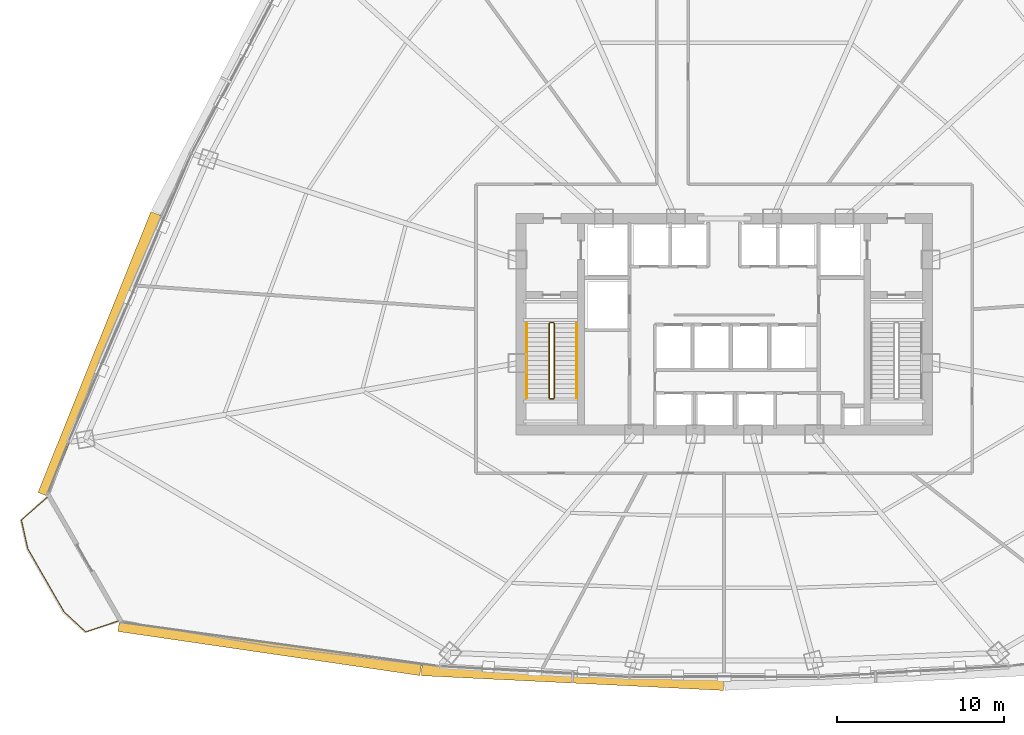
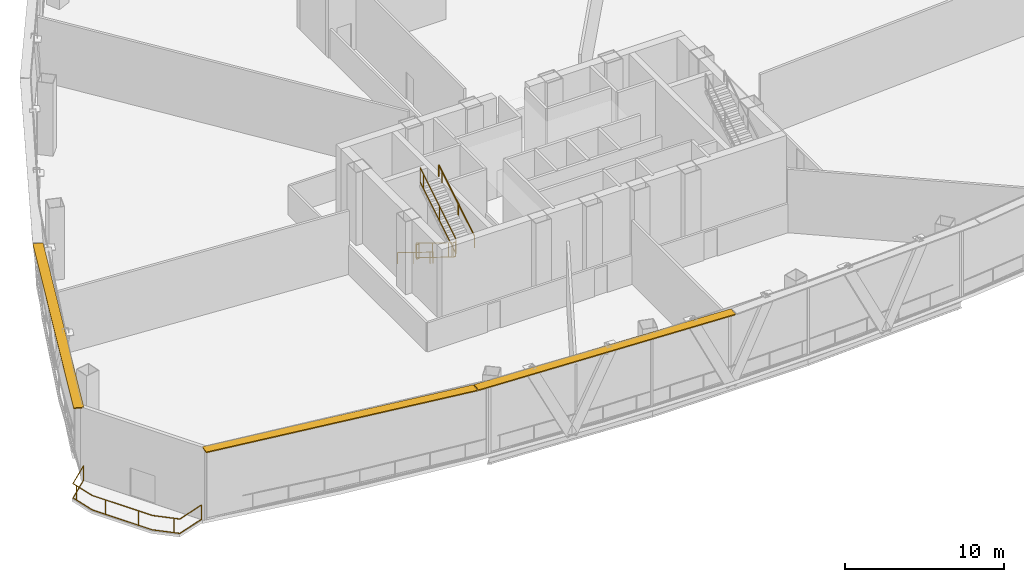
# One storey, part 31 of 36: 7 railings, 3 shading devices.
"""IFC4 building model written with IfcOpenShell, lengths in metres."""

import ifcopenshell
import ifcopenshell.guid

model = None  # the IFC model being written
_history = None  # IfcOwnerHistory: only IFC2X3 demands one
_inside = {}  # id of a spatial element -> (the spatial element, [elements in it])
_under = {}  # id of a project, library or spatial element -> (it, [spatial elements below it])
_declared = {}  # id of a project -> (the project, [libraries it declares])
_typed = {}  # id of a type object -> (the type object, [elements of that type])
_made_of = {}  # id of a material, layer set ... -> (it, [elements and type objects made of it])


def new_model(schema):
    """Start an empty IFC model of exactly this schema.

    Asked for "IFC4X3", IfcOpenShell would pick the latest addendum, in which some entities
    have other attributes; the version numbers below select the first issue.
    IFC2X3 requires an IfcOwnerHistory on every rooted entity: one is made here for all.
    """
    global model, _history
    if schema == "IFC4X3":
        model = ifcopenshell.file(schema_version=(4, 3, 0, 0))
    else:
        model = ifcopenshell.file(schema=schema)
    _inside.clear()
    _under.clear()
    _declared.clear()
    _typed.clear()
    _made_of.clear()
    _history = None
    if model.schema == "IFC2X3":
        org = make("IfcOrganization", Name="unknown")
        user = make(
            "IfcPersonAndOrganization",
            ThePerson=make("IfcPerson", FamilyName="unknown"),
            TheOrganization=org,
        )
        app = make(
            "IfcApplication",
            ApplicationDeveloper=org,
            Version="unknown",
            ApplicationFullName="unknown",
            ApplicationIdentifier="unknown",
        )
        _history = make(
            "IfcOwnerHistory",
            OwningUser=user,
            OwningApplication=app,
            ChangeAction="ADDED",
            CreationDate=0,
        )
    return model


def make(cls, **values):
    """One entity of the class cls with the attributes given. An attribute that is None is left unset."""
    return model.create_entity(
        cls, **{name: value for name, value in values.items() if value is not None}
    )


def rooted(cls, **values):
    """An entity with a GlobalId (a new one), such as an element, a storey or a relation."""
    return make(cls, GlobalId=ifcopenshell.guid.new(), OwnerHistory=_history, **values)


def si_unit(unit_type, name, prefix=None):
    """IfcSIUnit, for example si_unit("LENGTHUNIT", "METRE", prefix="MILLI")."""
    return make("IfcSIUnit", UnitType=unit_type, Prefix=prefix, Name=name)


def assignment(units):
    """IfcUnitAssignment: the units of a project."""
    return None if units is None else make("IfcUnitAssignment", Units=units)


def point(xyz):
    """IfcCartesianPoint."""
    return None if xyz is None else make("IfcCartesianPoint", Coordinates=xyz)


def direction(xyz):
    """IfcDirection."""
    return None if xyz is None else make("IfcDirection", DirectionRatios=xyz)


def frame(location, z_axis=None, x_axis=None):
    """IfcAxis2Placement3D, a coordinate frame: its origin and axes. An axis left out is left unset."""
    return make(
        "IfcAxis2Placement3D",
        Location=point(location),
        Axis=direction(z_axis),
        RefDirection=direction(x_axis),
    )


def frame_2d(location, x_axis=None):
    """IfcAxis2Placement2D, a coordinate frame in the plane: its origin and x axis."""
    return make(
        "IfcAxis2Placement2D", Location=point(location), RefDirection=direction(x_axis)
    )


def origin():
    """The frame at (0, 0, 0) with its axes left unset."""
    return frame((0.0, 0.0, 0.0))


def origin_2d():
    """The frame at (0, 0) in the plane with its x axis left unset."""
    return frame_2d((0.0, 0.0))


def place(relative_to, where):
    """IfcLocalPlacement: puts the frame where relative to a parent placement (None: the world)."""
    return make(
        "IfcLocalPlacement", PlacementRelTo=relative_to, RelativePlacement=where
    )


def context(
    kind, dimensions, precision=None, world=None, true_north=None, identifier=None
):
    """IfcGeometricRepresentationContext, for example the 3D "Model" context."""
    return make(
        "IfcGeometricRepresentationContext",
        ContextIdentifier=identifier,
        ContextType=kind,
        CoordinateSpaceDimension=dimensions,
        Precision=precision,
        WorldCoordinateSystem=world,
        TrueNorth=true_north,
    )


def subcontext(parent, identifier, kind, view, scale=None):
    """IfcGeometricRepresentationSubContext, for example "Body" below "Model"."""
    return make(
        "IfcGeometricRepresentationSubContext",
        ContextIdentifier=identifier,
        ContextType=kind,
        ParentContext=parent,
        TargetScale=scale,
        TargetView=view,
    )


def project(units=None, contexts=None):
    """IfcProject with its units and contexts."""
    return rooted(
        "IfcProject",
        Name="project",
        RepresentationContexts=contexts,
        UnitsInContext=assignment(units),
    )


def spatial(cls, under=None, at=None, **own):
    """A site, building, storey or space (cls), placed at a placement, below another one or the project."""
    s = rooted(cls, ObjectPlacement=at, **own)
    if under is not None:
        _under.setdefault(under.id(), (under, []))[1].append(s)
    return s


def profile(cls, at=None, kind="AREA", **sizes):
    """A parametric profile (cls). Its sizes go by their IFC names, for example OverallWidth=200.0."""
    return make(cls, ProfileType=kind, Position=at, **sizes)


def rectangle(**sizes):
    """IfcRectangleProfileDef."""
    return profile("IfcRectangleProfileDef", **sizes)


def extrude(swept, where, along, depth):
    """IfcExtrudedAreaSolid: the profile swept, set in the frame where, extruded along a direction by depth."""
    return make(
        "IfcExtrudedAreaSolid",
        SweptArea=swept,
        Position=where,
        ExtrudedDirection=direction(along),
        Depth=depth,
    )


def shape(context_of_items, identifier, shape_type, items):
    """IfcShapeRepresentation: the items that make up one representation, for example the "Body"."""
    return make(
        "IfcShapeRepresentation",
        ContextOfItems=context_of_items,
        RepresentationIdentifier=identifier,
        RepresentationType=shape_type,
        Items=items,
    )


def source(mapping_origin, context_of_items, identifier, shape_type, items):
    """IfcRepresentationMap: a shape defined once, which mapped items show again and again."""
    return make(
        "IfcRepresentationMap",
        MappingOrigin=mapping_origin,
        MappedRepresentation=shape(context_of_items, identifier, shape_type, items),
    )


def transform(
    local_origin,
    x_axis=None,
    y_axis=None,
    z_axis=None,
    scale=None,
    scale2=None,
    scale3=None,
    uniform=True,
):
    """IfcCartesianTransformationOperator3D, or its non-uniform kind. x_axis, y_axis, z_axis: its Axis1, 2, 3."""
    if uniform:
        return make(
            "IfcCartesianTransformationOperator3D",
            Axis1=direction(x_axis),
            Axis2=direction(y_axis),
            LocalOrigin=point(local_origin),
            Scale=scale,
            Axis3=direction(z_axis),
        )
    return make(
        "IfcCartesianTransformationOperator3DnonUniform",
        Axis1=direction(x_axis),
        Axis2=direction(y_axis),
        LocalOrigin=point(local_origin),
        Scale=scale,
        Axis3=direction(z_axis),
        Scale2=scale2,
        Scale3=scale3,
    )


def mapped(mapping_source, mapping_target):
    """IfcMappedItem: shows the shape of a source again, moved by a transform."""
    return make(
        "IfcMappedItem", MappingSource=mapping_source, MappingTarget=mapping_target
    )


def material(Name=None, Category=None):
    """IfcMaterial."""
    return make("IfcMaterial", Name=Name, Category=Category)


def layer(
    of_material, thickness, ventilated=None, Name=None, Category=None, Priority=None
):
    """IfcMaterialLayer: one layer of a wall or slab, of a material (None: an air gap)."""
    return make(
        "IfcMaterialLayer",
        Material=of_material,
        LayerThickness=thickness,
        IsVentilated=ventilated,
        Name=Name,
        Category=Category,
        Priority=Priority,
    )


def layer_set(layers, Name=None):
    """IfcMaterialLayerSet."""
    return make("IfcMaterialLayerSet", MaterialLayers=layers, LayerSetName=Name)


def made_of(thing, what):
    """Note that an element or type object is made of a material, layer set ...; save() writes the relation."""
    if what is not None:
        _made_of.setdefault(what.id(), (what, []))[1].append(thing)
    return thing


def type_object(cls, material=None, **own):
    """A type object (cls), such as IfcWallType, which elements share."""
    return made_of(rooted(cls, **own), material)


def element(
    cls,
    number,
    at=None,
    inside=None,
    cuts=None,
    type_object=None,
    material=None,
    context=None,
    identifier="Body",
    shape_type=None,
    held_by="IfcProductDefinitionShape",
    body=None,
    shapes=None,
    **own,
):
    """One element of the class cls, such as IfcWall. Its Tag is "e" and its number.

    at: its placement. inside: the storey or other place that contains it. cuts: it is an
    opening in that element (IfcRelVoidsElement). A single representation is given by context,
    identifier, shape_type and body (its items); several are given by shapes. held_by: the class
    of the entity that holds the representations. save() writes the other relations.
    """
    e = rooted(cls, Tag="e%d" % number, ObjectPlacement=at, **own)
    if body is not None:
        shapes = [shape(context, identifier, shape_type, body)]
    if shapes is not None:
        e.Representation = make(held_by, Representations=shapes)
    if inside is not None:
        _inside.setdefault(inside.id(), (inside, []))[1].append(e)
    if cuts is not None:
        rooted(
            "IfcRelVoidsElement", RelatingBuildingElement=cuts, RelatedOpeningElement=e
        )
    if type_object is not None:
        _typed.setdefault(type_object.id(), (type_object, []))[1].append(e)
    return made_of(e, material)


def aggregate(whole, parts):
    """IfcRelAggregates: a whole, such as a stair, and the parts it consists of."""
    return rooted("IfcRelAggregates", RelatingObject=whole, RelatedObjects=parts)


def save(model, path):
    """Write the relations noted so far, then the file.

    IfcRelAggregates (storeys below a building ...), IfcRelContainedInSpatialStructure (elements
    in a storey), IfcRelDefinesByType, IfcRelAssociatesMaterial and IfcRelDeclares: one each for
    every whole, place, type object, material and project.
    """
    for whole, parts in _under.values():
        aggregate(whole, parts)
    for where, things in _inside.values():
        rooted(
            "IfcRelContainedInSpatialStructure",
            RelatedElements=things,
            RelatingStructure=where,
        )
    for kind, things in _typed.values():
        rooted("IfcRelDefinesByType", RelatedObjects=things, RelatingType=kind)
    for what, things in _made_of.values():
        rooted("IfcRelAssociatesMaterial", RelatedObjects=things, RelatingMaterial=what)
    for by, libraries in _declared.values():
        rooted("IfcRelDeclares", RelatingContext=by, RelatedDefinitions=libraries)
    model.write(path)


model = new_model("IFC4")

# Units and contexts
model_context = context("Model", 3, precision=1e-05, world=origin(), true_north=direction((0.0, 1.0)))
body_context = subcontext(model_context, "Body", "Model", "MODEL_VIEW")
ifc_project = project(units=[si_unit("LENGTHUNIT", "METRE"), si_unit("AREAUNIT", "SQUARE_METRE"), si_unit("VOLUMEUNIT", "CUBIC_METRE"), si_unit("PLANEANGLEUNIT", "RADIAN"), si_unit("MASSUNIT", "GRAM", prefix="KILO"), si_unit("THERMODYNAMICTEMPERATUREUNIT", "KELVIN"), si_unit("POWERUNIT", "WATT")], contexts=[model_context])

# Site, building, storey
site_placement = place(None, origin())
site = spatial("IfcSite", under=ifc_project, at=site_placement, CompositionType="ELEMENT")
building_placement = place(site_placement, origin())
building = spatial("IfcBuilding", under=site, at=building_placement, Name="Yunzhuo Pagoda Commons", CompositionType="ELEMENT")
storey_placement = place(building_placement, frame((0.0, 0.0, 119.179931640625)))
storey = spatial("IfcBuildingStorey", under=building, at=storey_placement, Name="L30", CompositionType="ELEMENT", Elevation=119.179931640625)

# Railings
ifc_material = material(Name="Anodized aluminium 6063-T6", Category="aluminium")
railing_type_1 = type_object("IfcRailingType", Name="GR-ST1 Stair Well Guardrail 1150", PredefinedType="GUARDRAIL", material=ifc_material)
railing_1_placement = place(storey_placement, frame((37.5, 33.89990234375, 0.172119140625)))
element("IfcRailing", 1, at=railing_1_placement, inside=storey, type_object=railing_type_1, Name="L30 ST1 stair guard 1", PredefinedType="GUARDRAIL", context=body_context, shape_type="SweptSolid", body=[
    extrude(rectangle(XDim=0.048095703125, YDim=0.048095703125, at=origin_2d()), frame((0.0, 0.0, 1.1259765625), z_axis=(0.0, -0.851996104429, 0.523548123899), x_axis=(1.0, 0.0, 0.0)), (0.0, 0.0, 1.0), 5.25830078125),
    extrude(rectangle(XDim=0.048095703125, YDim=0.048095703125, at=origin_2d()), frame((0.0, 0.0, 0.02392578125), z_axis=(0.0, -0.851996104429, 0.523548123899), x_axis=(1.0, 0.0, 0.0)), (0.0, 0.0, 1.0), 5.25830078125),
    extrude(rectangle(XDim=0.0419921875, YDim=0.0419921875, at=origin_2d()), origin(), (0.0, 0.0, 1.0), 1.101806640625),
    extrude(rectangle(XDim=0.0419921875, YDim=0.0419921875, at=origin_2d()), frame((0.0, -2.044677734375, 1.256591796875)), (0.0, 0.0, 1.0), 1.101806640625),
    extrude(rectangle(XDim=0.0419921875, YDim=0.0419921875, at=origin_2d()), frame((0.0, -4.089599609375, 2.512939453125)), (0.0, 0.0, 1.0), 1.101806640625),
    extrude(rectangle(XDim=0.0419921875, YDim=0.0419921875, at=origin_2d()), frame((0.0, -4.47998046875, 2.7529296875)), (0.0, 0.0, 1.0), 1.101806640625),
])
railing_2_placement = place(storey_placement, frame((37.550048828125, 29.3701171875, 2.925048828125)))
element("IfcRailing", 2, at=railing_2_placement, inside=storey, type_object=railing_type_1, Name="L30 ST1 stair guard 2", PredefinedType="GUARDRAIL", context=body_context, shape_type="SweptSolid", body=[
    extrude(rectangle(XDim=0.048095703125, YDim=0.048095703125, at=origin_2d()), frame((0.0, 0.0, 1.1259765625), z_axis=(1.0, 0.0, 0.0), x_axis=(0.0, 1.0, 0.0)), (0.0, 0.0, 1.0), 0.199951171875),
    extrude(rectangle(XDim=0.048095703125, YDim=0.048095703125, at=origin_2d()), frame((0.0, 0.0, 0.02392578125), z_axis=(1.0, 0.0, 0.0), x_axis=(0.0, 1.0, 0.0)), (0.0, 0.0, 1.0), 0.199951171875),
    extrude(rectangle(XDim=0.0419921875, YDim=0.0419921875, at=origin_2d()), origin(), (0.0, 0.0, 1.0), 1.101806640625),
    extrude(rectangle(XDim=0.0419921875, YDim=0.0419921875, at=origin_2d()), frame((0.199951171875, 0.0, 0.0)), (0.0, 0.0, 1.0), 1.101806640625),
])
railing_3_placement = place(storey_placement, frame((37.800048828125, 29.419921875, 3.09716796875)))
element("IfcRailing", 3, at=railing_3_placement, inside=storey, type_object=railing_type_1, Name="L30 ST1 stair guard 3", PredefinedType="GUARDRAIL", context=body_context, shape_type="SweptSolid", body=[
    extrude(rectangle(XDim=0.048095703125, YDim=0.048095703125, at=origin_2d()), frame((0.0, 0.0, 1.1259765625), z_axis=(0.0, 0.851996104429, 0.523548123899), x_axis=(-1.0, 0.0, 0.0)), (0.0, 0.0, 1.0), 5.25830078125),
    extrude(rectangle(XDim=0.048095703125, YDim=0.048095703125, at=origin_2d()), frame((0.0, 0.0, 0.02392578125), z_axis=(0.0, 0.851996104429, 0.523548123899), x_axis=(-1.0, 0.0, 0.0)), (0.0, 0.0, 1.0), 5.25830078125),
    extrude(rectangle(XDim=0.0419921875, YDim=0.0419921875, at=origin_2d()), origin(), (0.0, 0.0, 1.0), 1.101806640625),
    extrude(rectangle(XDim=0.0419921875, YDim=0.0419921875, at=origin_2d()), frame((0.0, 2.044677734375, 1.256591796875)), (0.0, 0.0, 1.0), 1.101806640625),
    extrude(rectangle(XDim=0.0419921875, YDim=0.0419921875, at=origin_2d()), frame((0.0, 4.089599609375, 2.512939453125)), (0.0, 0.0, 1.0), 1.101806640625),
    extrude(rectangle(XDim=0.0419921875, YDim=0.0419921875, at=origin_2d()), frame((0.0, 4.47998046875, 2.7529296875)), (0.0, 0.0, 1.0), 1.101806640625),
])
railing_4_placement = place(storey_placement, frame((37.550048828125, 33.949951171875, 0.0)))
element("IfcRailing", 4, at=railing_4_placement, inside=storey, type_object=railing_type_1, Name="L30 ST1 stair guard 4", PredefinedType="GUARDRAIL", context=body_context, shape_type="SweptSolid", body=[
    extrude(rectangle(XDim=0.048095703125, YDim=0.048095703125, at=origin_2d()), frame((0.0, 0.0, 1.1259765625), z_axis=(1.0, 0.0, 0.0), x_axis=(0.0, 1.0, 0.0)), (0.0, 0.0, 1.0), 0.199951171875),
    extrude(rectangle(XDim=0.048095703125, YDim=0.048095703125, at=origin_2d()), frame((0.0, 0.0, 0.02392578125), z_axis=(1.0, 0.0, 0.0), x_axis=(0.0, 1.0, 0.0)), (0.0, 0.0, 1.0), 0.199951171875),
    extrude(rectangle(XDim=0.0419921875, YDim=0.0419921875, at=origin_2d()), origin(), (0.0, 0.0, 1.0), 1.101806640625),
    extrude(rectangle(XDim=0.0419921875, YDim=0.0419921875, at=origin_2d()), frame((0.199951171875, 0.0, 0.0)), (0.0, 0.0, 1.0), 1.101806640625),
])
railing_type_2 = type_object("IfcRailingType", Name="HR-ST1 Stair Handrail 900", PredefinedType="HANDRAIL", material=ifc_material)
railing_5_placement = place(storey_placement, frame((36.14990234375, 33.89990234375, 0.172119140625)))
element("IfcRailing", 5, at=railing_5_placement, inside=storey, type_object=railing_type_2, Name="L30 ST1 stair handrail 1", PredefinedType="HANDRAIL", context=body_context, shape_type="SweptSolid", body=[
    extrude(rectangle(XDim=0.048095703125, YDim=0.048095703125, at=origin_2d()), frame((0.0, 0.0, 0.8759765625), z_axis=(0.0, -0.851996104429, 0.523548123899), x_axis=(1.0, 0.0, 0.0)), (0.0, 0.0, 1.0), 5.25830078125),
    extrude(rectangle(XDim=0.0419921875, YDim=0.0419921875, at=origin_2d()), origin(), (0.0, 0.0, 1.0), 0.851806640625),
    extrude(rectangle(XDim=0.0419921875, YDim=0.0419921875, at=origin_2d()), frame((0.0, -2.044677734375, 1.256591796875)), (0.0, 0.0, 1.0), 0.851806640625),
    extrude(rectangle(XDim=0.0419921875, YDim=0.0419921875, at=origin_2d()), frame((0.0, -4.089599609375, 2.512939453125)), (0.0, 0.0, 1.0), 0.851806640625),
    extrude(rectangle(XDim=0.0419921875, YDim=0.0419921875, at=origin_2d()), frame((0.0, -4.47998046875, 2.7529296875)), (0.0, 0.0, 1.0), 0.851806640625),
])
railing_6_placement = place(storey_placement, frame((39.14990234375, 29.419921875, 3.09716796875)))
element("IfcRailing", 6, at=railing_6_placement, inside=storey, type_object=railing_type_2, Name="L30 ST1 stair handrail 2", PredefinedType="HANDRAIL", context=body_context, shape_type="SweptSolid", body=[
    extrude(rectangle(XDim=0.048095703125, YDim=0.048095703125, at=origin_2d()), frame((0.0, 0.0, 0.8759765625), z_axis=(0.0, 0.851996104429, 0.523548123899), x_axis=(-1.0, 0.0, 0.0)), (0.0, 0.0, 1.0), 5.25830078125),
    extrude(rectangle(XDim=0.0419921875, YDim=0.0419921875, at=origin_2d()), origin(), (0.0, 0.0, 1.0), 0.851806640625),
    extrude(rectangle(XDim=0.0419921875, YDim=0.0419921875, at=origin_2d()), frame((0.0, 2.044677734375, 1.256591796875)), (0.0, 0.0, 1.0), 0.851806640625),
    extrude(rectangle(XDim=0.0419921875, YDim=0.0419921875, at=origin_2d()), frame((0.0, 4.089599609375, 2.512939453125)), (0.0, 0.0, 1.0), 0.851806640625),
    extrude(rectangle(XDim=0.0419921875, YDim=0.0419921875, at=origin_2d()), frame((0.0, 4.47998046875, 2.7529296875)), (0.0, 0.0, 1.0), 0.851806640625),
])
railing_type_3 = type_object("IfcRailingType", Name="RL-BAL1 Exterior Terrace & Balcony Balustrade 1150", PredefinedType="BALUSTRADE", material=ifc_material)
railing_7_placement = place(storey_placement, frame((7.34912109375, 23.449462890625, 0.0)))
element("IfcRailing", 7, at=railing_7_placement, inside=storey, type_object=railing_type_3, Name="L30 corner balcony balustrade V1", PredefinedType="BALUSTRADE", context=body_context, shape_type="SweptSolid", body=[
    extrude(rectangle(XDim=0.048095703125, YDim=0.048095703125, at=origin_2d()), frame((0.0, 0.0, 1.1259765625), z_axis=(-0.753933830692, -0.656950362614, 0.0), x_axis=(0.656950362614, -0.753933830692, 0.0)), (0.0, 0.0, 1.0), 2.05908203125),
    extrude(rectangle(XDim=0.048095703125, YDim=0.048095703125, at=origin_2d()), frame((0.0, 0.0, 0.02392578125), z_axis=(-0.753933830692, -0.656950362614, 0.0), x_axis=(0.656950362614, -0.753933830692, 0.0)), (0.0, 0.0, 1.0), 2.05908203125),
    extrude(rectangle(XDim=0.048095703125, YDim=0.048095703125, at=origin_2d()), frame((-1.552490234375, -1.352783203125, 1.1259765625), z_axis=(0.217220850426, -0.976122483165, 0.0), x_axis=(0.976122483165, 0.217220850426, 0.0)), (0.0, 0.0, 1.0), 1.7802734375),
    extrude(rectangle(XDim=0.048095703125, YDim=0.048095703125, at=origin_2d()), frame((-1.552490234375, -1.352783203125, 0.02392578125), z_axis=(0.217220850426, -0.976122483165, 0.0), x_axis=(0.976122483165, 0.217220850426, 0.0)), (0.0, 0.0, 1.0), 1.7802734375),
    extrude(rectangle(XDim=0.048095703125, YDim=0.048095703125, at=origin_2d()), frame((-1.165771484375, -3.090576171875, 1.1259765625), z_axis=(0.49790495802, -0.867231602733, 0.0), x_axis=(0.867231602733, 0.49790495802, 0.0)), (0.0, 0.0, 1.0), 4.359619140625),
    extrude(rectangle(XDim=0.048095703125, YDim=0.048095703125, at=origin_2d()), frame((-1.165771484375, -3.090576171875, 0.02392578125), z_axis=(0.49790495802, -0.867231602733, 0.0), x_axis=(0.867231602733, 0.49790495802, 0.0)), (0.0, 0.0, 1.0), 4.359619140625),
    extrude(rectangle(XDim=0.048095703125, YDim=0.048095703125, at=origin_2d()), frame((1.0048828125, -6.871337890625, 1.1259765625), z_axis=(0.733535324638, -0.679651327894, 0.0), x_axis=(0.679651327894, 0.733535324638, 0.0)), (0.0, 0.0, 1.0), 1.780517578125),
    extrude(rectangle(XDim=0.048095703125, YDim=0.048095703125, at=origin_2d()), frame((1.0048828125, -6.871337890625, 0.02392578125), z_axis=(0.733535324638, -0.679651327894, 0.0), x_axis=(0.679651327894, 0.733535324638, 0.0)), (0.0, 0.0, 1.0), 1.780517578125),
    extrude(rectangle(XDim=0.048095703125, YDim=0.048095703125, at=origin_2d()), frame((2.31103515625, -8.08154296875, 1.1259765625), z_axis=(0.947419062147, 0.319995501031, 0.0), x_axis=(-0.319995501031, 0.947419062147, 0.0)), (0.0, 0.0, 1.0), 2.05908203125),
    extrude(rectangle(XDim=0.048095703125, YDim=0.048095703125, at=origin_2d()), frame((2.31103515625, -8.08154296875, 0.02392578125), z_axis=(0.947419062147, 0.319995501031, 0.0), x_axis=(-0.319995501031, 0.947419062147, 0.0)), (0.0, 0.0, 1.0), 2.05908203125),
    extrude(rectangle(XDim=0.0419921875, YDim=0.0419921875, at=origin_2d()), origin(), (0.0, 0.0, 1.0), 1.101806640625),
    extrude(rectangle(XDim=0.0419921875, YDim=0.0419921875, at=origin_2d()), frame((-1.478515625, -1.685546875, 0.0)), (0.0, 0.0, 1.0), 1.101806640625),
    extrude(rectangle(XDim=0.0419921875, YDim=0.0419921875, at=origin_2d()), frame((-0.6875, -3.923583984375, 0.0)), (0.0, 0.0, 1.0), 1.101806640625),
    extrude(rectangle(XDim=0.0419921875, YDim=0.0419921875, at=origin_2d()), frame((0.50732421875, -6.0048828125, 0.0)), (0.0, 0.0, 1.0), 1.101806640625),
    extrude(rectangle(XDim=0.0419921875, YDim=0.0419921875, at=origin_2d()), frame((2.032470703125, -7.823486328125, 0.0)), (0.0, 0.0, 1.0), 1.101806640625),
    extrude(rectangle(XDim=0.0419921875, YDim=0.0419921875, at=origin_2d()), frame((4.261962890625, -7.422607421875, 0.0)), (0.0, 0.0, 1.0), 1.101806640625),
])

# Shading devices
ifc_layer = layer(ifc_material, 0.080078125)
ifc_layer_set = layer_set([ifc_layer], Name="Anodized aluminium 6063-T6")
shading_device_type = type_object("IfcShadingDeviceType", Name="SH-SUN1 Pagoda Horizontal Sunshade Eave 650", PredefinedType="USERDEFINED", material=ifc_layer_set)
shared_shape_1 = source(origin(), body_context, "Body", "SweptSolid", [
    extrude(rectangle(XDim=18.3271484375, YDim=0.64990234375, at=origin_2d()), origin(), (0.0, 0.0, 1.0), 0.080078125),
])
shading_device_1_placement = place(storey_placement, frame((20.70361328125, 14.393310546875, 5.489990234375), z_axis=(0.0, 0.0, 1.0), x_axis=(0.989510666697, -0.144459823108, 0.0)))
element("IfcShadingDevice", 8, at=shading_device_1_placement, inside=storey, type_object=shading_device_type, Name="L30 horizontal pagoda sunshade eave F1.1", ObjectType="SUNSHADE", PredefinedType="USERDEFINED", context=body_context, shape_type="MappedRepresentation", body=[
    mapped(shared_shape_1, transform((0.0, 0.0, 0.0), scale=1.0)),
])
shared_shape_2 = source(origin(), body_context, "Body", "SweptSolid", [
    extrude(rectangle(XDim=18.156005859375, YDim=0.64990234375, at=origin_2d()), origin(), (0.0, 0.0, 1.0), 0.080078125),
])
shading_device_2_placement = place(storey_placement, frame((38.901123046875, 12.622314453125, 5.489990234375), z_axis=(0.0, 0.0, 1.0), x_axis=(0.998818043775, -0.04860571396, 0.0)))
element("IfcShadingDevice", 9, at=shading_device_2_placement, inside=storey, type_object=shading_device_type, Name="L30 horizontal pagoda sunshade eave F1.2", ObjectType="SUNSHADE", PredefinedType="USERDEFINED", context=body_context, shape_type="MappedRepresentation", body=[
    mapped(shared_shape_2, transform((0.0, 0.0, 0.0), scale=1.0)),
])
shared_shape_3 = source(origin(), body_context, "Body", "SweptSolid", [
    extrude(rectangle(XDim=18.179931640625, YDim=0.64990234375, at=origin_2d()), origin(), (0.0, 0.0, 1.0), 0.080078125),
])
shading_device_3_placement = place(storey_placement, frame((10.484619140625, 32.060791015625, 5.489990234375), z_axis=(0.0, 0.0, 1.0), x_axis=(-0.372987782576, -0.927836253899, 0.0)))
element("IfcShadingDevice", 10, at=shading_device_3_placement, inside=storey, type_object=shading_device_type, Name="L30 horizontal pagoda sunshade eave F3.4", ObjectType="SUNSHADE", PredefinedType="USERDEFINED", context=body_context, shape_type="MappedRepresentation", body=[
    mapped(shared_shape_3, transform((0.0, 0.0, 0.0), scale=1.0)),
])

save(model, "model.ifc")
